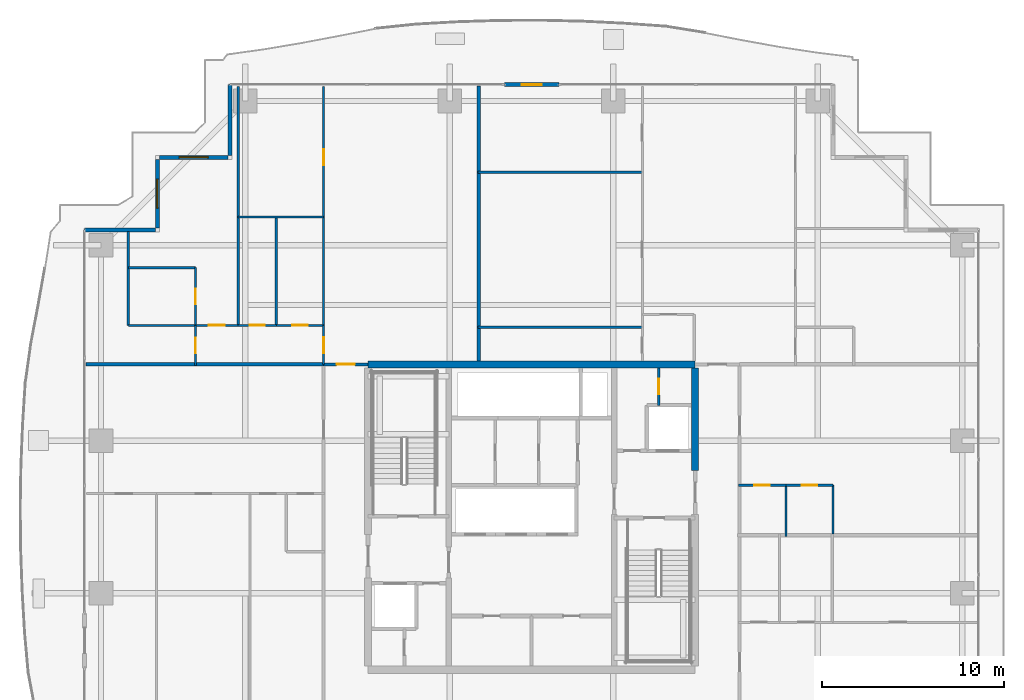
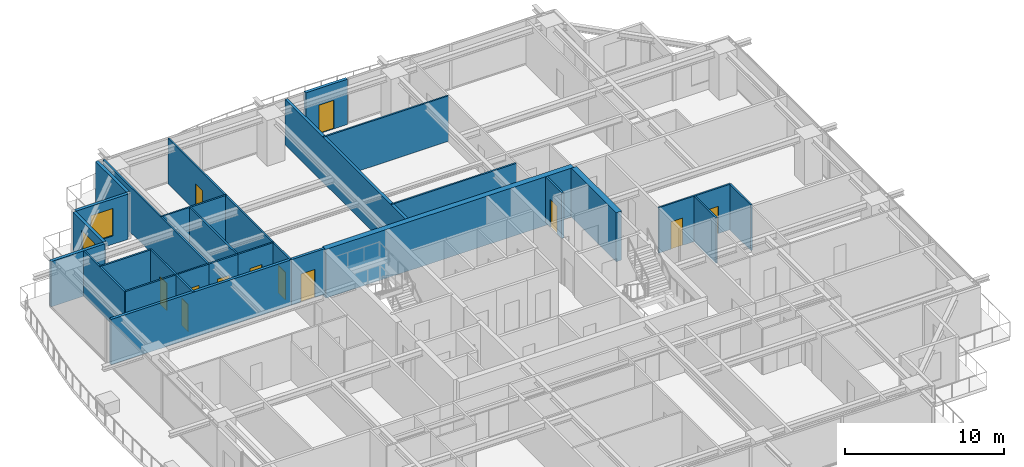
# One storey, part 30 of 37: 31 walls, 12 doors, 2 windows, 14 openings.
"""IFC4 building model written with IfcOpenShell, lengths in metres."""

from ifc_helpers import new_model, si_unit, direction, frame, frame_2d, origin, place, context, subcontext, project, spatial, rectangle, extrude, source, transform, mapped, material, layer, layer_set, type_object, element, fill, save


model = new_model("IFC4")

# Units and contexts
model_context = context("Model", 3, precision=1e-05, world=origin(), true_north=direction((0.0, 1.0)))
body_context = subcontext(model_context, "Body", "Model", "MODEL_VIEW")
ifc_project = project(units=[si_unit("LENGTHUNIT", "METRE"), si_unit("AREAUNIT", "SQUARE_METRE"), si_unit("VOLUMEUNIT", "CUBIC_METRE"), si_unit("PLANEANGLEUNIT", "RADIAN"), si_unit("MASSUNIT", "GRAM", prefix="KILO")], contexts=[model_context])

# Site, building, storey
site_placement = place(None, origin())
site = spatial("IfcSite", under=ifc_project, at=site_placement, CompositionType="ELEMENT")
building_placement = place(site_placement, origin())
building = spatial("IfcBuilding", under=site, at=building_placement, Name="Serunith Strait Residences", CompositionType="ELEMENT")
storey_placement = place(building_placement, frame((0.0, 0.0, 138.89990234375)))
storey = spatial("IfcBuildingStorey", under=building, at=storey_placement, Name="L34", CompositionType="ELEMENT", Elevation=138.89990234375)

# Wall, opening, door
ifc_material_1 = material(Name="Pale-Champagne Aluminium Insulated Panel", Category="aluminium")
ifc_layer_1 = layer(ifc_material_1, 0.219970703125, Name="Pale-Champagne Aluminium Insulated Panel")
ifc_layer_set_1 = layer_set([ifc_layer_1], Name="Pale-Champagne Aluminium Insulated Panel")
wall_type_1 = type_object("IfcWallType", Name="EW-ALUM-220", PredefinedType="ELEMENTEDWALL", material=ifc_layer_set_1)
wall_1_placement = place(storey_placement, frame((33.89990234375, 49.0, 0.0), z_axis=(0.0, 0.0, 1.0), x_axis=(-1.0, 0.0, 0.0)))
wall_1 = element("IfcWall", 1, at=wall_1_placement, inside=storey, type_object=wall_type_1, Name="L34 N Facade Pier Wall", PredefinedType="ELEMENTEDWALL", context=body_context, shape_type="SweptSolid", body=[
    extrude(rectangle(XDim=3.0, YDim=0.219970703125, at=frame_2d((1.5, 0.0))), origin(), (0.0, 0.0, 1.0), 3.47509765625),
])
opening_1_placement = place(wall_1_placement, frame((0.949951171875, 0.0, 0.0)))
opening_1 = element("IfcOpeningElement", 2, at=opening_1_placement, cuts=wall_1, Name="Opening ED-03", PredefinedType="OPENING", context=body_context, shape_type="SweptSolid", body=[
    extrude(rectangle(XDim=1.10009765625, YDim=2.199951171875, at=frame_2d((0.550048828125, 1.10009765625))), frame((0.0, 0.1201171875, 0.0), z_axis=(0.0, -1.0, 0.0), x_axis=(1.0, 0.0, 0.0)), (0.0, 0.0, 1.0), 0.239990234375),
])
ifc_material_2 = material(Name="Thermally-Broken Aluminium Glazed Balcony Door", Category="aluminium")
door_type_1 = type_object("IfcDoorType", Name="ED-BALC-1100", OperationType="NOTDEFINED", PredefinedType="DOOR", material=ifc_material_2)
shared_shape_1 = source(origin(), body_context, "Body", "SweptSolid", [
    extrude(rectangle(XDim=1.10009765625, YDim=2.199951171875, at=frame_2d((0.550048828125, 1.10009765625))), frame((0.0, 0.02490234375, 0.0), z_axis=(0.0, -1.0, 0.0), x_axis=(1.0, 0.0, 0.0)), (0.0, 0.0, 1.0), 0.050048828125),
])
door_1_placement = place(opening_1_placement, origin())
door_1 = element("IfcDoor", 3, at=door_1_placement, inside=storey, type_object=door_type_1, Name="L34 N Vertical-Forest Balcony Door", OperationType="SINGLE_SWING_RIGHT", OverallHeight=2.199951171875, OverallWidth=1.10009765625, PredefinedType="DOOR", context=body_context, shape_type="MappedRepresentation", body=[
    mapped(shared_shape_1, transform((0.0, 0.0, 0.0), scale=1.0)),
])
fill(opening_1, door_1)

# Wall
wall_2_placement = place(storey_placement, frame((15.800048828125, 49.0, 0.0), z_axis=(0.0, 0.0, 1.0), x_axis=(0.0, -1.0, 0.0)))
element("IfcWall", 4, at=wall_2_placement, inside=storey, type_object=wall_type_1, Name="L34 Girih Serrated Corner Wall 12", PredefinedType="ELEMENTEDWALL", context=body_context, shape_type="SweptSolid", body=[
    extrude(rectangle(XDim=3.889892578125, YDim=0.219970703125, at=frame_2d((1.94482421875, 0.0))), origin(), (0.0, 0.0, 1.0), 3.47509765625),
])

# Wall, opening, window
wall_3_placement = place(storey_placement, frame((15.68994140625, 45.0, 0.0), z_axis=(0.0, 0.0, 1.0), x_axis=(-1.0, 0.0, 0.0)))
wall_3 = element("IfcWall", 5, at=wall_3_placement, inside=storey, type_object=wall_type_1, Name="L34 Girih Serrated Corner Wall 13", PredefinedType="ELEMENTEDWALL", context=body_context, shape_type="SweptSolid", body=[
    extrude(rectangle(XDim=3.780029296875, YDim=0.219970703125, at=frame_2d((1.89013671875, 0.0))), origin(), (0.0, 0.0, 1.0), 3.47509765625),
])
opening_2_placement = place(wall_3_placement, frame((1.090087890625, 0.0, 0.64990234375)))
opening_2 = element("IfcOpeningElement", 6, at=opening_2_placement, cuts=wall_3, Name="Opening W-02", PredefinedType="OPENING", context=body_context, shape_type="SweptSolid", body=[
    extrude(rectangle(XDim=1.60009765625, YDim=2.10009765625, at=frame_2d((0.800048828125, 1.050048828125))), frame((0.0, 0.1201171875, 0.0), z_axis=(0.0, -1.0, 0.0), x_axis=(1.0, 0.0, 0.0)), (0.0, 0.0, 1.0), 0.239990234375),
])
ifc_material_3 = material(Name="Ceramic-Fritted Operable Aluminium Window Glass", Category="aluminium")
window_type = type_object("IfcWindowType", Name="WIN-C2", PartitioningType="DOUBLE_PANEL_VERTICAL", PredefinedType="WINDOW", material=ifc_material_3)
shared_shape_2 = source(origin(), body_context, "Body", "SweptSolid", [
    extrude(rectangle(XDim=1.60009765625, YDim=2.10009765625, at=frame_2d((0.800048828125, 1.050048828125))), frame((0.0, 0.030029296875, 0.0), z_axis=(0.0, -1.0, 0.0), x_axis=(1.0, 0.0, 0.0)), (0.0, 0.0, 1.0), 0.06005859375),
])
window_1_placement = place(opening_2_placement, origin())
window_1 = element("IfcWindow", 7, at=window_1_placement, inside=storey, type_object=window_type, Name="L34 Corner Operable Fritted Window 13", OverallHeight=2.10009765625, OverallWidth=1.60009765625, PartitioningType="SINGLE_PANEL", PredefinedType="WINDOW", context=body_context, shape_type="MappedRepresentation", body=[
    mapped(shared_shape_2, transform((0.0, 0.0, 0.0), scale=1.0)),
])
fill(opening_2, window_1)

wall_4_placement = place(storey_placement, frame((11.800048828125, 44.889892578125, 0.0), z_axis=(0.0, 0.0, 1.0), x_axis=(0.0, -1.0, 0.0)))
wall_4 = element("IfcWall", 8, at=wall_4_placement, inside=storey, type_object=wall_type_1, Name="L34 Girih Serrated Corner Wall 14", PredefinedType="ELEMENTEDWALL", context=body_context, shape_type="SweptSolid", body=[
    extrude(rectangle(XDim=3.77978515625, YDim=0.219970703125, at=frame_2d((1.889892578125, 0.0))), origin(), (0.0, 0.0, 1.0), 3.47509765625),
])
opening_3_placement = place(wall_4_placement, frame((1.090087890625, 0.0, 0.64990234375)))
opening_3 = element("IfcOpeningElement", 9, at=opening_3_placement, cuts=wall_4, Name="Opening W-02", PredefinedType="OPENING", context=body_context, shape_type="SweptSolid", body=[
    extrude(rectangle(XDim=1.60009765625, YDim=2.10009765625, at=frame_2d((0.800048828125, 1.050048828125))), frame((0.0, 0.1201171875, 0.0), z_axis=(0.0, -1.0, 0.0), x_axis=(1.0, 0.0, 0.0)), (0.0, 0.0, 1.0), 0.239990234375),
])
window_2_placement = place(opening_3_placement, origin())
window_2 = element("IfcWindow", 10, at=window_2_placement, inside=storey, type_object=window_type, Name="L34 Corner Operable Fritted Window 14", OverallHeight=2.10009765625, OverallWidth=1.60009765625, PartitioningType="SINGLE_PANEL", PredefinedType="WINDOW", context=body_context, shape_type="MappedRepresentation", body=[
    mapped(shared_shape_2, transform((0.0, 0.0, 0.0), scale=1.0)),
])
fill(opening_3, window_2)

# Wall
wall_5_placement = place(storey_placement, frame((11.68994140625, 41.0, 0.0), z_axis=(0.0, 0.0, 1.0), x_axis=(-1.0, 0.0, 0.0)))
element("IfcWall", 11, at=wall_5_placement, inside=storey, type_object=wall_type_1, Name="L34 Girih Serrated Corner Wall 15", PredefinedType="ELEMENTEDWALL", context=body_context, shape_type="SweptSolid", body=[
    extrude(rectangle(XDim=3.889892578125, YDim=0.219970703125, at=frame_2d((1.94482421875, 0.0))), origin(), (0.0, 0.0, 1.0), 3.47509765625),
])

# Wall, opening, door
ifc_material_4 = material(Name="Fire-rated masonry service closet wall", Category="masonry")
ifc_layer_2 = layer(ifc_material_4, 0.14990234375, Name="Fire-rated masonry service closet wall")
ifc_layer_set_2 = layer_set([ifc_layer_2], Name="Fire-rated masonry service closet wall")
wall_type_2 = type_object("IfcWallType", Name="IW-BOH-150", PredefinedType="PARTITIONING", material=ifc_layer_set_2)
wall_6_placement = place(storey_placement, frame((39.39990234375, 31.35009765625, 0.0), z_axis=(0.0, 0.0, 1.0), x_axis=(0.0, 1.0, 0.0)))
wall_6 = element("IfcWall", 12, at=wall_6_placement, inside=storey, type_object=wall_type_2, Name="L34 Partition Wall 013", PredefinedType="PARTITIONING", context=body_context, shape_type="SweptSolid", body=[
    extrude(rectangle(XDim=2.0498046875, YDim=0.14990234375, at=frame_2d((1.02490234375, 0.0))), origin(), (0.0, 0.0, 1.0), 3.489990234375),
])
opening_4_placement = place(wall_6_placement, frame((0.60009765625, 0.0, 0.0)))
opening_4 = element("IfcOpeningElement", 13, at=opening_4_placement, cuts=wall_6, Name="Opening FD-850", PredefinedType="OPENING", context=body_context, shape_type="SweptSolid", body=[
    extrude(rectangle(XDim=0.85009765625, YDim=2.10009765625, at=frame_2d((0.425048828125, 1.050048828125))), frame((0.0, 0.0849609375, 0.0), z_axis=(0.0, -1.0, 0.0), x_axis=(1.0, 0.0, 0.0)), (0.0, 0.0, 1.0), 0.169921875),
])
ifc_material_5 = material(Name="Powder-coated steel service closet door", Category="steel")
door_type_2 = type_object("IfcDoorType", Name="FD-BOH-850", OperationType="NOTDEFINED", PredefinedType="DOOR", material=ifc_material_5)
shared_shape_3 = source(origin(), body_context, "Body", "SweptSolid", [
    extrude(rectangle(XDim=0.85009765625, YDim=2.10009765625, at=frame_2d((0.425048828125, 1.050048828125))), frame((0.0, 0.02490234375, 0.0), z_axis=(0.0, -1.0, 0.0), x_axis=(1.0, 0.0, 0.0)), (0.0, 0.0, 1.0), 0.050048828125),
])
door_2_placement = place(opening_4_placement, origin())
door_2 = element("IfcDoor", 14, at=door_2_placement, inside=storey, type_object=door_type_2, Name="L34 Janitor Store Door", OperationType="SINGLE_SWING_RIGHT", OverallHeight=2.10009765625, OverallWidth=0.85009765625, PredefinedType="DOOR", context=body_context, shape_type="MappedRepresentation", body=[
    mapped(shared_shape_3, transform((0.0, 0.0, 0.0), scale=1.0)),
])
fill(opening_4, door_2)

ifc_material_6 = material(Name="Fire-rated acoustic gypsum partition")
ifc_layer_3 = layer(ifc_material_6, 0.179931640625, Name="Fire-rated acoustic gypsum partition")
ifc_layer_set_3 = layer_set([ifc_layer_3], Name="Fire-rated acoustic gypsum partition")
wall_type_3 = type_object("IfcWallType", Name="IW-CORR-180", PredefinedType="PARTITIONING", material=ifc_layer_set_3)
wall_7_placement = place(storey_placement, frame((20.951904296875, 33.60009765625, 0.0), z_axis=(0.0, 0.0, 1.0), x_axis=(1.0, 0.0, 0.0)))
wall_7 = element("IfcWall", 15, at=wall_7_placement, inside=storey, type_object=wall_type_3, Name="L34 Partition Wall 031", PredefinedType="PARTITIONING", context=body_context, shape_type="SweptSolid", body=[
    extrude(rectangle(XDim=2.446044921875, YDim=0.179931640625, at=frame_2d((1.22314453125, 0.0))), origin(), (0.0, 0.0, 1.0), 3.489990234375),
])
opening_5_placement = place(wall_7_placement, frame((0.722900390625, 0.0, 0.0)))
opening_5 = element("IfcOpeningElement", 16, at=opening_5_placement, cuts=wall_7, Name="Opening D-APT1000", PredefinedType="OPENING", context=body_context, shape_type="SweptSolid", body=[
    extrude(rectangle(XDim=1.0, YDim=2.14990234375, at=frame_2d((0.5, 1.074951171875))), frame((0.0, 0.10009765625, 0.0), z_axis=(0.0, -1.0, 0.0), x_axis=(1.0, 0.0, 0.0)), (0.0, 0.0, 1.0), 0.199951171875),
])
ifc_material_7 = material(Name="Solid timber engineered fire door", Category="wood")
door_type_3 = type_object("IfcDoorType", Name="ID-APT-1000", OperationType="NOTDEFINED", PredefinedType="DOOR", material=ifc_material_7)
shared_shape_4 = source(origin(), body_context, "Body", "SweptSolid", [
    extrude(rectangle(XDim=1.0, YDim=2.14990234375, at=frame_2d((0.5, 1.074951171875))), frame((0.0, 0.02490234375, 0.0), z_axis=(0.0, -1.0, 0.0), x_axis=(1.0, 0.0, 0.0)), (0.0, 0.0, 1.0), 0.050048828125),
])
door_3_placement = place(opening_5_placement, origin())
door_3 = element("IfcDoor", 17, at=door_3_placement, inside=storey, type_object=door_type_3, Name="L34 Unit 04 Entrance Door", OperationType="SINGLE_SWING_RIGHT", OverallHeight=2.14990234375, OverallWidth=1.0, PredefinedType="DOOR", context=body_context, shape_type="MappedRepresentation", body=[
    mapped(shared_shape_4, transform((0.0, 0.0, 0.0), scale=1.0)),
])
fill(opening_5, door_3)

ifc_material_8 = material(Name="Lightweight steel-stud gypsum partition", Category="steel")
ifc_layer_4 = layer(ifc_material_8, 0.1201171875, Name="Lightweight steel-stud gypsum partition")
ifc_layer_set_4 = layer_set([ifc_layer_4], Name="Lightweight steel-stud gypsum partition")
wall_type_4 = type_object("IfcWallType", Name="IW-PART-120", PredefinedType="PARTITIONING", material=ifc_layer_set_4)
wall_8_placement = place(storey_placement, frame((20.949951171875, 35.75, 0.0), z_axis=(0.0, 0.0, 1.0), x_axis=(0.0, -1.0, 0.0)))
wall_8 = element("IfcWall", 18, at=wall_8_placement, inside=storey, type_object=wall_type_4, Name="L34 Partition Wall 056", PredefinedType="PARTITIONING", context=body_context, shape_type="SweptSolid", body=[
    extrude(rectangle(XDim=2.14794921875, YDim=0.1201171875, at=frame_2d((1.073974609375, 0.0))), origin(), (0.0, 0.0, 1.0), 3.489990234375),
])
opening_6_placement = place(wall_8_placement, frame((0.64208984375, 0.0, 0.0)))
opening_6 = element("IfcOpeningElement", 19, at=opening_6_placement, cuts=wall_8, Name="Opening D-RM900", PredefinedType="OPENING", context=body_context, shape_type="SweptSolid", body=[
    extrude(rectangle(XDim=0.89990234375, YDim=2.10009765625, at=frame_2d((0.449951171875, 1.050048828125))), frame((0.0, 0.070068359375, 0.0), z_axis=(0.0, -1.0, 0.0), x_axis=(1.0, 0.0, 0.0)), (0.0, 0.0, 1.0), 0.14013671875),
])
ifc_material_9 = material(Name="Engineered timber flush bedroom door", Category="wood")
door_type_4 = type_object("IfcDoorType", Name="ID-ROOM-900", OperationType="NOTDEFINED", PredefinedType="DOOR", material=ifc_material_9)
shared_shape_5 = source(origin(), body_context, "Body", "SweptSolid", [
    extrude(rectangle(XDim=0.89990234375, YDim=2.10009765625, at=frame_2d((0.449951171875, 1.050048828125))), frame((0.0, 0.02490234375, 0.0), z_axis=(0.0, -1.0, 0.0), x_axis=(1.0, 0.0, 0.0)), (0.0, 0.0, 1.0), 0.050048828125),
])
door_4_placement = place(opening_6_placement, origin())
door_4 = element("IfcDoor", 20, at=door_4_placement, inside=storey, type_object=door_type_4, Name="L34 Hall W 3404 Door", OperationType="SINGLE_SWING_RIGHT", OverallHeight=2.10009765625, OverallWidth=0.89990234375, PredefinedType="DOOR", context=body_context, shape_type="MappedRepresentation", body=[
    mapped(shared_shape_5, transform((0.0, 0.0, 0.0), scale=1.0)),
])
fill(opening_6, door_4)

wall_9_placement = place(storey_placement, frame((20.949951171875, 48.905029296875, 0.0), z_axis=(0.0, 0.0, 1.0), x_axis=(0.0, -1.0, 0.0)))
wall_9 = element("IfcWall", 21, at=wall_9_placement, inside=storey, type_object=wall_type_4, Name="L34 Partition Wall 057", PredefinedType="PARTITIONING", context=body_context, shape_type="SweptSolid", body=[
    extrude(rectangle(XDim=7.18212890625, YDim=0.1201171875, at=frame_2d((3.591064453125, 0.0))), origin(), (0.0, 0.0, 1.0), 3.489990234375),
])
opening_7_placement = place(wall_9_placement, frame((3.455078125, 0.0, 0.0)))
opening_7 = element("IfcOpeningElement", 22, at=opening_7_placement, cuts=wall_9, Name="Opening D-RM900", PredefinedType="OPENING", context=body_context, shape_type="SweptSolid", body=[
    extrude(rectangle(XDim=0.89990234375, YDim=2.10009765625, at=frame_2d((0.449951171875, 1.050048828125))), frame((0.0, 0.070068359375, 0.0), z_axis=(0.0, -1.0, 0.0), x_axis=(1.0, 0.0, 0.0)), (0.0, 0.0, 1.0), 0.14013671875),
])
door_5_placement = place(opening_7_placement, origin())
door_5 = element("IfcDoor", 23, at=door_5_placement, inside=storey, type_object=door_type_4, Name="L34 Formal Dining Room 1 3404 Door", OperationType="SINGLE_SWING_LEFT", OverallHeight=2.10009765625, OverallWidth=0.89990234375, PredefinedType="DOOR", context=body_context, shape_type="MappedRepresentation", body=[
    mapped(shared_shape_5, transform((0.0, 0.0, 0.0), scale=1.0)),
])
fill(opening_7, door_5)

# Walls
wall_10_placement = place(storey_placement, frame((20.949951171875, 41.720947265625, 0.0), z_axis=(0.0, 0.0, 1.0), x_axis=(0.0, -1.0, 0.0)))
element("IfcWall", 24, at=wall_10_placement, inside=storey, type_object=wall_type_4, Name="L34 Partition Wall 058", PredefinedType="PARTITIONING", context=body_context, shape_type="SweptSolid", body=[
    extrude(rectangle(XDim=5.968994140625, YDim=0.1201171875, at=frame_2d((2.984375, 0.0))), origin(), (0.0, 0.0, 1.0), 3.489990234375),
])
wall_11_placement = place(storey_placement, frame((16.25, 41.722900390625, 0.0), z_axis=(0.0, 0.0, 1.0), x_axis=(1.0, 0.0, 0.0)))
element("IfcWall", 25, at=wall_11_placement, inside=storey, type_object=wall_type_4, Name="L34 Partition Wall 059", PredefinedType="PARTITIONING", context=body_context, shape_type="SweptSolid", body=[
    extrude(rectangle(XDim=4.699951171875, YDim=0.1201171875, at=frame_2d((2.35009765625, 0.0))), origin(), (0.0, 0.0, 1.0), 3.489990234375),
])
wall_12_placement = place(storey_placement, frame((16.25, 48.905029296875, 0.0), z_axis=(0.0, 0.0, 1.0), x_axis=(0.0, -1.0, 0.0)))
element("IfcWall", 26, at=wall_12_placement, inside=storey, type_object=wall_type_4, Name="L34 Partition Wall 060", PredefinedType="PARTITIONING", context=body_context, shape_type="SweptSolid", body=[
    extrude(rectangle(XDim=13.155029296875, YDim=0.1201171875, at=frame_2d((6.57763671875, 0.0))), origin(), (0.0, 0.0, 1.0), 3.489990234375),
])
wall_13_placement = place(storey_placement, frame((18.35009765625, 41.722900390625, 0.0), z_axis=(0.0, 0.0, 1.0), x_axis=(0.0, -1.0, 0.0)))
element("IfcWall", 27, at=wall_13_placement, inside=storey, type_object=wall_type_4, Name="L34 Partition Wall 061", PredefinedType="PARTITIONING", context=body_context, shape_type="SweptSolid", body=[
    extrude(rectangle(XDim=5.972900390625, YDim=0.1201171875, at=frame_2d((2.986328125, 0.0))), origin(), (0.0, 0.0, 1.0), 3.489990234375),
])

# Wall, opening, door
wall_14_placement = place(storey_placement, frame((16.25, 35.75, 0.0), z_axis=(0.0, 0.0, 1.0), x_axis=(1.0, 0.0, 0.0)))
wall_14 = element("IfcWall", 28, at=wall_14_placement, inside=storey, type_object=wall_type_4, Name="L34 Partition Wall 062", PredefinedType="PARTITIONING", context=body_context, shape_type="SweptSolid", body=[
    extrude(rectangle(XDim=2.10009765625, YDim=0.1201171875, at=frame_2d((1.050048828125, 0.0))), origin(), (0.0, 0.0, 1.0), 3.489990234375),
])
opening_8_placement = place(wall_14_placement, frame((0.625, 0.0, 0.0)))
opening_8 = element("IfcOpeningElement", 29, at=opening_8_placement, cuts=wall_14, Name="Opening D-BTH850", PredefinedType="OPENING", context=body_context, shape_type="SweptSolid", body=[
    extrude(rectangle(XDim=0.85009765625, YDim=2.10009765625, at=frame_2d((0.425048828125, 1.050048828125))), frame((0.0, 0.070068359375, 0.0), z_axis=(0.0, -1.0, 0.0), x_axis=(1.0, 0.0, 0.0)), (0.0, 0.0, 1.0), 0.14013671875),
])
ifc_material_10 = material(Name="Moisture-resistant timber bathroom door", Category="wood")
door_type_5 = type_object("IfcDoorType", Name="ID-BATH-850", OperationType="NOTDEFINED", PredefinedType="DOOR", material=ifc_material_10)
door_6_placement = place(opening_8_placement, origin())
door_6 = element("IfcDoor", 30, at=door_6_placement, inside=storey, type_object=door_type_5, Name="L34 Bathroom 3404 Door", OperationType="SINGLE_SWING_RIGHT", OverallHeight=2.10009765625, OverallWidth=0.85009765625, PredefinedType="DOOR", context=body_context, shape_type="MappedRepresentation", body=[
    mapped(shared_shape_3, transform((0.0, 0.0, 0.0), scale=1.0)),
])
fill(opening_8, door_6)

wall_15_placement = place(storey_placement, frame((18.35205078125, 35.75, 0.0), z_axis=(0.0, 0.0, 1.0), x_axis=(1.0, 0.0, 0.0)))
wall_15 = element("IfcWall", 31, at=wall_15_placement, inside=storey, type_object=wall_type_4, Name="L34 Partition Wall 063", PredefinedType="PARTITIONING", context=body_context, shape_type="SweptSolid", body=[
    extrude(rectangle(XDim=2.597900390625, YDim=0.1201171875, at=frame_2d((1.298828125, 0.0))), origin(), (0.0, 0.0, 1.0), 3.489990234375),
])
opening_9_placement = place(wall_15_placement, frame((0.8740234375, 0.0, 0.0)))
opening_9 = element("IfcOpeningElement", 32, at=opening_9_placement, cuts=wall_15, Name="Opening D-RM850", PredefinedType="OPENING", context=body_context, shape_type="SweptSolid", body=[
    extrude(rectangle(XDim=0.85009765625, YDim=2.10009765625, at=frame_2d((0.425048828125, 1.050048828125))), frame((0.0, 0.070068359375, 0.0), z_axis=(0.0, -1.0, 0.0), x_axis=(1.0, 0.0, 0.0)), (0.0, 0.0, 1.0), 0.14013671875),
])
ifc_material_11 = material(Name="Engineered timber flush study and kitchen door", Category="wood")
door_type_6 = type_object("IfcDoorType", Name="ID-ROOM-850", OperationType="NOTDEFINED", PredefinedType="DOOR", material=ifc_material_11)
door_7_placement = place(opening_9_placement, origin())
door_7 = element("IfcDoor", 33, at=door_7_placement, inside=storey, type_object=door_type_6, Name="L34 Kitchen 3404 Door", OperationType="SINGLE_SWING_LEFT", OverallHeight=2.10009765625, OverallWidth=0.85009765625, PredefinedType="DOOR", context=body_context, shape_type="MappedRepresentation", body=[
    mapped(shared_shape_3, transform((0.0, 0.0, 0.0), scale=1.0)),
])
fill(opening_9, door_7)

wall_16_placement = place(storey_placement, frame((13.89990234375, 35.75, 0.0), z_axis=(0.0, 0.0, 1.0), x_axis=(1.0, 0.0, 0.0)))
wall_16 = element("IfcWall", 34, at=wall_16_placement, inside=storey, type_object=wall_type_4, Name="L34 Partition Wall 064", PredefinedType="PARTITIONING", context=body_context, shape_type="SweptSolid", body=[
    extrude(rectangle(XDim=2.34814453125, YDim=0.1201171875, at=frame_2d((1.174072265625, 0.0))), origin(), (0.0, 0.0, 1.0), 3.489990234375),
])
opening_10_placement = place(wall_16_placement, frame((0.72412109375, 0.0, 0.0)))
opening_10 = element("IfcOpeningElement", 35, at=opening_10_placement, cuts=wall_16, Name="Opening D-RM900", PredefinedType="OPENING", context=body_context, shape_type="SweptSolid", body=[
    extrude(rectangle(XDim=0.89990234375, YDim=2.10009765625, at=frame_2d((0.449951171875, 1.050048828125))), frame((0.0, 0.070068359375, 0.0), z_axis=(0.0, -1.0, 0.0), x_axis=(1.0, 0.0, 0.0)), (0.0, 0.0, 1.0), 0.14013671875),
])
door_8_placement = place(opening_10_placement, origin())
door_8 = element("IfcDoor", 36, at=door_8_placement, inside=storey, type_object=door_type_4, Name="L34 Master Bedroom W 3404 Door", OperationType="SINGLE_SWING_RIGHT", OverallHeight=2.10009765625, OverallWidth=0.89990234375, PredefinedType="DOOR", context=body_context, shape_type="MappedRepresentation", body=[
    mapped(shared_shape_5, transform((0.0, 0.0, 0.0), scale=1.0)),
])
fill(opening_10, door_8)

# Walls
wall_17_placement = place(storey_placement, frame((10.199951171875, 38.923095703125, 0.0), z_axis=(0.0, 0.0, 1.0), x_axis=(1.0, 0.0, 0.0)))
element("IfcWall", 37, at=wall_17_placement, inside=storey, type_object=wall_type_4, Name="L34 Partition Wall 065", PredefinedType="PARTITIONING", context=body_context, shape_type="SweptSolid", body=[
    extrude(rectangle(XDim=3.699951171875, YDim=0.1201171875, at=frame_2d((1.85009765625, 0.0))), origin(), (0.0, 0.0, 1.0), 3.489990234375),
])
wall_18_placement = place(storey_placement, frame((10.199951171875, 40.905029296875, 0.0), z_axis=(0.0, 0.0, 1.0), x_axis=(0.0, -1.0, 0.0)))
element("IfcWall", 38, at=wall_18_placement, inside=storey, type_object=wall_type_4, Name="L34 Partition Wall 066", PredefinedType="PARTITIONING", context=body_context, shape_type="SweptSolid", body=[
    extrude(rectangle(XDim=5.155029296875, YDim=0.1201171875, at=frame_2d((2.57763671875, 0.0))), origin(), (0.0, 0.0, 1.0), 3.489990234375),
])
wall_19_placement = place(storey_placement, frame((10.199951171875, 35.75, 0.0), z_axis=(0.0, 0.0, 1.0), x_axis=(1.0, 0.0, 0.0)))
element("IfcWall", 39, at=wall_19_placement, inside=storey, type_object=wall_type_4, Name="L34 Partition Wall 067", PredefinedType="PARTITIONING", context=body_context, shape_type="SweptSolid", body=[
    extrude(rectangle(XDim=3.697998046875, YDim=0.1201171875, at=frame_2d((1.84912109375, 0.0))), origin(), (0.0, 0.0, 1.0), 3.489990234375),
])

# Wall, opening, door
wall_20_placement = place(storey_placement, frame((13.89990234375, 38.923095703125, 0.0), z_axis=(0.0, 0.0, 1.0), x_axis=(0.0, -1.0, 0.0)))
wall_20 = element("IfcWall", 40, at=wall_20_placement, inside=storey, type_object=wall_type_4, Name="L34 Partition Wall 068", PredefinedType="PARTITIONING", context=body_context, shape_type="SweptSolid", body=[
    extrude(rectangle(XDim=3.173095703125, YDim=0.1201171875, at=frame_2d((1.58642578125, 0.0))), origin(), (0.0, 0.0, 1.0), 3.489990234375),
])
opening_11_placement = place(wall_20_placement, frame((1.162109375, 0.0, 0.0)))
opening_11 = element("IfcOpeningElement", 41, at=opening_11_placement, cuts=wall_20, Name="Opening D-BTH850", PredefinedType="OPENING", context=body_context, shape_type="SweptSolid", body=[
    extrude(rectangle(XDim=0.85009765625, YDim=2.10009765625, at=frame_2d((0.425048828125, 1.050048828125))), frame((0.0, 0.070068359375, 0.0), z_axis=(0.0, -1.0, 0.0), x_axis=(1.0, 0.0, 0.0)), (0.0, 0.0, 1.0), 0.14013671875),
])
door_9_placement = place(opening_11_placement, origin())
door_9 = element("IfcDoor", 42, at=door_9_placement, inside=storey, type_object=door_type_5, Name="L34 En-suite Bathroom W 3404 Door", OperationType="SINGLE_SWING_LEFT", OverallHeight=2.10009765625, OverallWidth=0.85009765625, PredefinedType="DOOR", context=body_context, shape_type="MappedRepresentation", body=[
    mapped(shared_shape_3, transform((0.0, 0.0, 0.0), scale=1.0)),
])
fill(opening_11, door_9)

wall_21_placement = place(storey_placement, frame((13.89990234375, 35.748046875, 0.0), z_axis=(0.0, 0.0, 1.0), x_axis=(0.0, -1.0, 0.0)))
wall_21 = element("IfcWall", 43, at=wall_21_placement, inside=storey, type_object=wall_type_4, Name="L34 Partition Wall 069", PredefinedType="PARTITIONING", context=body_context, shape_type="SweptSolid", body=[
    extrude(rectangle(XDim=2.2080078125, YDim=0.1201171875, at=frame_2d((1.10400390625, 0.0))), origin(), (0.0, 0.0, 1.0), 3.489990234375),
])
opening_12_placement = place(wall_21_placement, frame((0.678955078125, 0.0, 0.0)))
opening_12 = element("IfcOpeningElement", 44, at=opening_12_placement, cuts=wall_21, Name="Opening D-RM850", PredefinedType="OPENING", context=body_context, shape_type="SweptSolid", body=[
    extrude(rectangle(XDim=0.85009765625, YDim=2.10009765625, at=frame_2d((0.425048828125, 1.050048828125))), frame((0.0, 0.070068359375, 0.0), z_axis=(0.0, -1.0, 0.0), x_axis=(1.0, 0.0, 0.0)), (0.0, 0.0, 1.0), 0.14013671875),
])
door_10_placement = place(opening_12_placement, origin())
door_10 = element("IfcDoor", 45, at=door_10_placement, inside=storey, type_object=door_type_6, Name="L34 Wardrobe W 3404 Door", OperationType="SINGLE_SWING_RIGHT", OverallHeight=2.10009765625, OverallWidth=0.85009765625, PredefinedType="DOOR", context=body_context, shape_type="MappedRepresentation", body=[
    mapped(shared_shape_3, transform((0.0, 0.0, 0.0), scale=1.0)),
])
fill(opening_12, door_10)

# Walls
for number, where, z_axis, x_axis, name in (
    (46, (29.43994140625, 44.179931640625, 0.0), (0.0, 0.0, 1.0), (1.0, 0.0, 0.0), "L34 Partition Wall 073"),
    (47, (29.43994140625, 35.64990234375, 0.0), (0.0, 0.0, 1.0), (1.0, 0.0, 0.0), "L34 Partition Wall 074"),
):
    element("IfcWall", number, at=place(storey_placement, frame(where, z_axis=z_axis, x_axis=x_axis)), inside=storey, type_object=wall_type_4, Name=name, PredefinedType="PARTITIONING", context=body_context, shape_type="SweptSolid", body=[
        extrude(rectangle(XDim=9.06005859375, YDim=0.1201171875, at=frame_2d((4.530029296875, 0.0))), origin(), (0.0, 0.0, 1.0), 3.489990234375),
    ])

# Wall, opening, door
wall_22_placement = place(storey_placement, frame((49.0, 26.949951171875, 0.0), z_axis=(0.0, 0.0, 1.0), x_axis=(-1.0, 0.0, 0.0)))
wall_22 = element("IfcWall", 48, at=wall_22_placement, inside=storey, type_object=wall_type_4, Name="L34 Partition Wall 096", PredefinedType="PARTITIONING", context=body_context, shape_type="SweptSolid", body=[
    extrude(rectangle(XDim=2.60009765625, YDim=0.1201171875, at=frame_2d((1.300048828125, 0.0))), origin(), (0.0, 0.0, 1.0), 3.489990234375),
])
opening_13_placement = place(wall_22_placement, frame((0.875, 0.0, 0.0)))
opening_13 = element("IfcOpeningElement", 49, at=opening_13_placement, cuts=wall_22, Name="Opening D-RM850", PredefinedType="OPENING", context=body_context, shape_type="SweptSolid", body=[
    extrude(rectangle(XDim=0.85009765625, YDim=2.10009765625, at=frame_2d((0.425048828125, 1.050048828125))), frame((0.0, 0.070068359375, 0.0), z_axis=(0.0, -1.0, 0.0), x_axis=(1.0, 0.0, 0.0)), (0.0, 0.0, 1.0), 0.14013671875),
])
door_11_placement = place(opening_13_placement, origin())
door_11 = element("IfcDoor", 50, at=door_11_placement, inside=storey, type_object=door_type_6, Name="L34 Kitchen 3408 Door", OperationType="SINGLE_SWING_LEFT", OverallHeight=2.10009765625, OverallWidth=0.85009765625, PredefinedType="DOOR", context=body_context, shape_type="MappedRepresentation", body=[
    mapped(shared_shape_3, transform((0.0, 0.0, 0.0), scale=1.0)),
])
fill(opening_13, door_11)

wall_23_placement = place(storey_placement, frame((46.39794921875, 26.949951171875, 0.0), z_axis=(0.0, 0.0, 1.0), x_axis=(-1.0, 0.0, 0.0)))
wall_23 = element("IfcWall", 51, at=wall_23_placement, inside=storey, type_object=wall_type_4, Name="L34 Partition Wall 097", PredefinedType="PARTITIONING", context=body_context, shape_type="SweptSolid", body=[
    extrude(rectangle(XDim=2.60791015625, YDim=0.1201171875, at=frame_2d((1.303955078125, 0.0))), origin(), (0.0, 0.0, 1.0), 3.489990234375),
])
opening_14_placement = place(wall_23_placement, frame((0.87890625, 0.0, 0.0)))
opening_14 = element("IfcOpeningElement", 52, at=opening_14_placement, cuts=wall_23, Name="Opening D-BTH850", PredefinedType="OPENING", context=body_context, shape_type="SweptSolid", body=[
    extrude(rectangle(XDim=0.85009765625, YDim=2.10009765625, at=frame_2d((0.425048828125, 1.050048828125))), frame((0.0, 0.070068359375, 0.0), z_axis=(0.0, -1.0, 0.0), x_axis=(1.0, 0.0, 0.0)), (0.0, 0.0, 1.0), 0.14013671875),
])
door_12_placement = place(opening_14_placement, origin())
door_12 = element("IfcDoor", 53, at=door_12_placement, inside=storey, type_object=door_type_5, Name="L34 Bathroom 3408 Door", OperationType="SINGLE_SWING_RIGHT", OverallHeight=2.10009765625, OverallWidth=0.85009765625, PredefinedType="DOOR", context=body_context, shape_type="MappedRepresentation", body=[
    mapped(shared_shape_3, transform((0.0, 0.0, 0.0), scale=1.0)),
])
fill(opening_14, door_12)

# Walls
wall_24_placement = place(storey_placement, frame((46.39990234375, 24.139892578125, 0.0), z_axis=(0.0, 0.0, 1.0), x_axis=(0.0, 1.0, 0.0)))
element("IfcWall", 54, at=wall_24_placement, inside=storey, type_object=wall_type_4, Name="L34 Partition Wall 098", PredefinedType="PARTITIONING", context=body_context, shape_type="SweptSolid", body=[
    extrude(rectangle(XDim=2.81005859375, YDim=0.1201171875, at=frame_2d((1.405029296875, 0.0))), origin(), (0.0, 0.0, 1.0), 3.489990234375),
])
wall_25_placement = place(storey_placement, frame((49.0, 24.261962890625, 0.0), z_axis=(0.0, 0.0, 1.0), x_axis=(0.0, 1.0, 0.0)))
element("IfcWall", 55, at=wall_25_placement, inside=storey, type_object=wall_type_4, Name="L34 Partition Wall 099", PredefinedType="PARTITIONING", context=body_context, shape_type="SweptSolid", body=[
    extrude(rectangle(XDim=2.68798828125, YDim=0.1201171875, at=frame_2d((1.343994140625, 0.0))), origin(), (0.0, 0.0, 1.0), 3.489990234375),
])
ifc_material_12 = material(Name="Twin-stud acoustic gypsum board partition")
ifc_layer_5 = layer(ifc_material_12, 0.199951171875, Name="Twin-stud acoustic gypsum board partition")
ifc_layer_set_5 = layer_set([ifc_layer_5], Name="Twin-stud acoustic gypsum board partition")
wall_type_5 = type_object("IfcWallType", Name="IW-PARTY-200", PredefinedType="PARTITIONING", material=ifc_layer_set_5)
wall_26_placement = place(storey_placement, frame((29.5, 33.800048828125, 0.0), z_axis=(0.0, 0.0, 1.0), x_axis=(0.0, 1.0, 0.0)))
element("IfcWall", 56, at=wall_26_placement, inside=storey, type_object=wall_type_5, Name="L34 Partition Wall 022", PredefinedType="PARTITIONING", context=body_context, shape_type="SweptSolid", body=[
    extrude(rectangle(XDim=15.117919921875, YDim=0.199951171875, at=frame_2d((7.55908203125, 0.0))), origin(), (0.0, 0.0, 1.0), 3.489990234375),
])
wall_27_placement = place(storey_placement, frame((7.882080078125, 33.60009765625, 0.0), z_axis=(0.0, 0.0, 1.0), x_axis=(1.0, 0.0, 0.0)))
element("IfcWall", 57, at=wall_27_placement, inside=storey, type_object=wall_type_5, Name="L34 Partition Wall 026", PredefinedType="PARTITIONING", context=body_context, shape_type="SweptSolid", body=[
    extrude(rectangle(XDim=13.06787109375, YDim=0.199951171875, at=frame_2d((6.533935546875, 0.0))), origin(), (0.0, 0.0, 1.0), 3.489990234375),
])
ifc_material_13 = material(Name="Concrete C70/85", Category="concrete")
ifc_layer_6 = layer(ifc_material_13, 0.39990234375, Name="Concrete C70/85")
ifc_layer_set_6 = layer_set([ifc_layer_6], Name="Concrete C70/85")
wall_type_6 = type_object("IfcWallType", Name="SW-400-C70", PredefinedType="SHEAR", material=ifc_layer_set_6)
wall_28_placement = place(storey_placement, frame((41.39990234375, 33.60009765625, -0.260009765625), z_axis=(0.0, 0.0, 1.0), x_axis=(-1.0, 0.0, 0.0)))
element("IfcWall", 58, at=wall_28_placement, inside=storey, type_object=wall_type_6, Name="L34 Core North Shear Wall", PredefinedType="SHEAR", context=body_context, shape_type="SweptSolid", body=[
    extrude(rectangle(XDim=18.0, YDim=0.39990234375, at=frame_2d((9.0, 0.0))), origin(), (0.0, 0.0, 1.0), 3.748046875),
])
wall_29_placement = place(storey_placement, frame((41.39990234375, 27.75, -0.260009765625), z_axis=(0.0, 0.0, 1.0), x_axis=(0.0, 1.0, 0.0)))
element("IfcWall", 59, at=wall_29_placement, inside=storey, type_object=wall_type_6, Name="L34 Core East Shear Wall North Pier", PredefinedType="SHEAR", context=body_context, shape_type="SweptSolid", body=[
    extrude(rectangle(XDim=5.64990234375, YDim=0.39990234375, at=frame_2d((2.824951171875, 0.0))), origin(), (0.0, 0.0, 1.0), 3.748046875),
])

save(model, "model.ifc")
